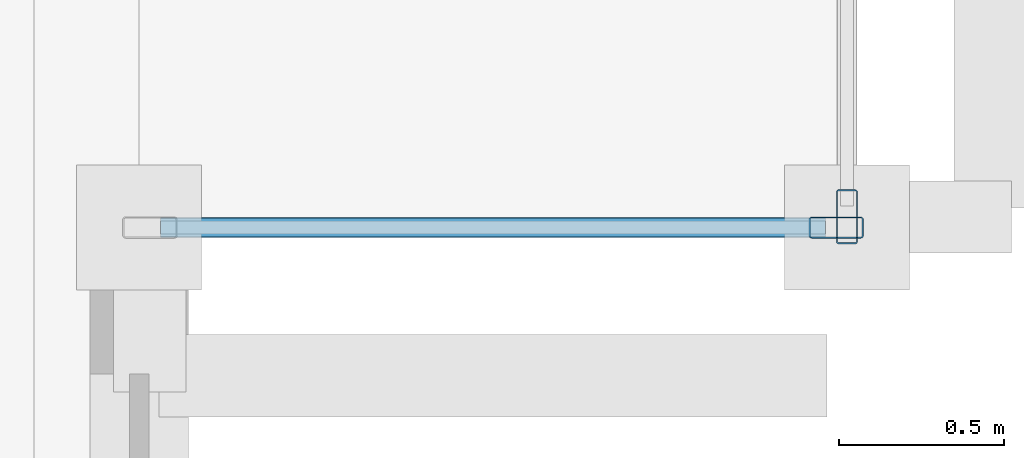
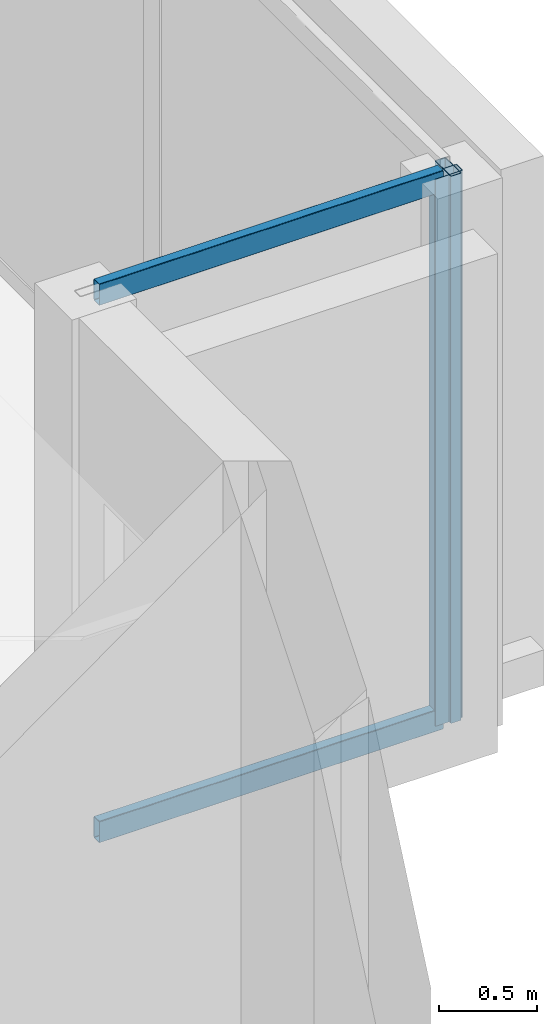
# One storey, part 4 of 16: 4 members, 2 elements without a shape of their own.
"""IFC4 building model written with IfcOpenShell, lengths in metres."""

from ifc_helpers import new_model, si_unit, direction, frame, origin, origin_2d, place, context, subcontext, project, spatial, hollow_rectangle, extrude, material, layer, layer_set, material_profile, profile_set, type_object, element, aggregate, save


model = new_model("IFC4")

# Units and contexts
model_context = context("Model", 3, precision=1e-05, world=origin(), true_north=direction((0.0, 1.0)))
body_context = subcontext(model_context, "Body", "Model", "MODEL_VIEW")
ifc_project = project(units=[si_unit("LENGTHUNIT", "METRE"), si_unit("AREAUNIT", "SQUARE_METRE"), si_unit("VOLUMEUNIT", "CUBIC_METRE"), si_unit("PLANEANGLEUNIT", "RADIAN"), si_unit("MASSUNIT", "GRAM", prefix="KILO")], contexts=[model_context])

# Site, building, storey
site_placement = place(None, origin())
site = spatial("IfcSite", under=ifc_project, at=site_placement, CompositionType="ELEMENT")
building_placement = place(site_placement, origin())
building = spatial("IfcBuilding", under=site, at=building_placement, Name="An Khanh Terracotta Commons", CompositionType="ELEMENT")
storey_placement = place(building_placement, frame((0.0, 0.0, 151.0)))
storey = spatial("IfcBuildingStorey", under=building, at=storey_placement, Name="L39", CompositionType="ELEMENT", Elevation=151.0)

# Curtain wall, member
ifc_material = material(Name="Anodised Aluminium 6063-T6", Category="aluminium")
ifc_layer = layer(ifc_material, 0.239990234375, Name="Anodised Aluminium 6063-T6")
ifc_layer_set = layer_set([ifc_layer], Name="Anodised Aluminium 6063-T6")
curtain_wall_type = type_object("IfcCurtainWallType", Name="CW-SYS-04", PredefinedType="USERDEFINED", material=ifc_layer_set)
curtain_wall_1_placement = place(storey_placement, origin())
curtain_wall_1 = element("IfcCurtainWall", 1, at=curtain_wall_1_placement, inside=storey, type_object=curtain_wall_type, Name="L39 CW-04 Unitised Curtain Wall CW-L39-EBOX-1", ObjectType="UNITISED CURTAIN WALL", PredefinedType="USERDEFINED")
ifc_material_profile_1 = material_profile(ifc_material, hollow_rectangle(XDim=0.06494140625, YDim=0.1650390625, WallThickness=0.00390625, InnerFilletRadius=0.00390625, OuterFilletRadius=0.008056640625, at=origin_2d()), Name="RHS165x65x4")
ifc_profile_set_1 = profile_set([ifc_material_profile_1], Name="Anodised Aluminium 6063-T6")
member_type_1 = type_object("IfcMemberType", Name="CWM-RHS165x65x4", PredefinedType="MULLION", material=ifc_profile_set_1)
member_1_placement = place(storey_placement, frame((65.14990234375, 19.4326171875, 0.0), z_axis=(0.0, 0.0, 1.0), x_axis=(-1.0, 0.0, 0.0)))
member_1 = element("IfcMember", 2, at=member_1_placement, type_object=member_type_1, Name="CW-04 mullion 1", PredefinedType="MULLION", context=body_context, shape_type="SweptSolid", body=[
    extrude(hollow_rectangle(XDim=0.06494140625, YDim=0.1650390625, WallThickness=0.00390625, InnerFilletRadius=0.00390625, OuterFilletRadius=0.008056640625, at=origin_2d()), origin(), (0.0, 0.0, 1.0), 3.39990234375),
])
aggregate(curtain_wall_1, [member_1])

# Curtain wall, members
curtain_wall_2_placement = place(storey_placement, origin())
curtain_wall_2 = element("IfcCurtainWall", 3, at=curtain_wall_2_placement, inside=storey, type_object=curtain_wall_type, Name="L39 CW-04 Unitised Curtain Wall CW-L39-EBOX-2", ObjectType="UNITISED CURTAIN WALL", PredefinedType="USERDEFINED")
member_2_placement = place(storey_placement, frame((65.117431640625, 19.39990234375, 0.0), z_axis=(0.0, 0.0, 1.0), x_axis=(0.0, 1.0, 0.0)))
member_2 = element("IfcMember", 4, at=member_2_placement, type_object=member_type_1, Name="CW-04 mullion 2", PredefinedType="MULLION", context=body_context, shape_type="SweptSolid", body=[
    extrude(hollow_rectangle(XDim=0.06494140625, YDim=0.1650390625, WallThickness=0.00390625, InnerFilletRadius=0.00390625, OuterFilletRadius=0.008056640625, at=origin_2d()), origin(), (0.0, 0.0, 1.0), 3.39990234375),
])
ifc_material_profile_2 = material_profile(ifc_material, hollow_rectangle(XDim=0.06005859375, YDim=0.135009765625, WallThickness=0.003662109375, InnerFilletRadius=0.003662109375, OuterFilletRadius=0.007080078125, at=origin_2d()), Name="RHS135x60x3.6")
ifc_profile_set_2 = profile_set([ifc_material_profile_2], Name="Anodised Aluminium 6063-T6")
member_type_2 = type_object("IfcMemberType", Name="CWT-RHS135x60x3.6", PredefinedType="USERDEFINED", material=ifc_profile_set_2)
member_3_placement = place(storey_placement, frame((63.06494140625, 19.39990234375, 0.030029296875), z_axis=(1.0, 0.0, 0.0), x_axis=(0.0, 1.0, 0.0)))
member_3 = element("IfcMember", 5, at=member_3_placement, type_object=member_type_2, Name="CW-04 transom 1.1", ObjectType="TRANSOM", PredefinedType="USERDEFINED", context=body_context, shape_type="SweptSolid", body=[
    extrude(hollow_rectangle(XDim=0.06005859375, YDim=0.135009765625, WallThickness=0.003662109375, InnerFilletRadius=0.003662109375, OuterFilletRadius=0.007080078125, at=origin_2d()), origin(), (0.0, 0.0, 1.0), 2.02001953125),
])
member_4_placement = place(storey_placement, frame((63.06494140625, 19.39990234375, 3.3701171875), z_axis=(1.0, 0.0, 0.0), x_axis=(0.0, 1.0, 0.0)))
member_4 = element("IfcMember", 6, at=member_4_placement, type_object=member_type_2, Name="CW-04 transom 1.2", ObjectType="TRANSOM", PredefinedType="USERDEFINED", context=body_context, shape_type="SweptSolid", body=[
    extrude(hollow_rectangle(XDim=0.06005859375, YDim=0.135009765625, WallThickness=0.003662109375, InnerFilletRadius=0.003662109375, OuterFilletRadius=0.007080078125, at=origin_2d()), origin(), (0.0, 0.0, 1.0), 2.02001953125),
])
aggregate(curtain_wall_2, [member_2, member_3, member_4])

save(model, "model.ifc")
